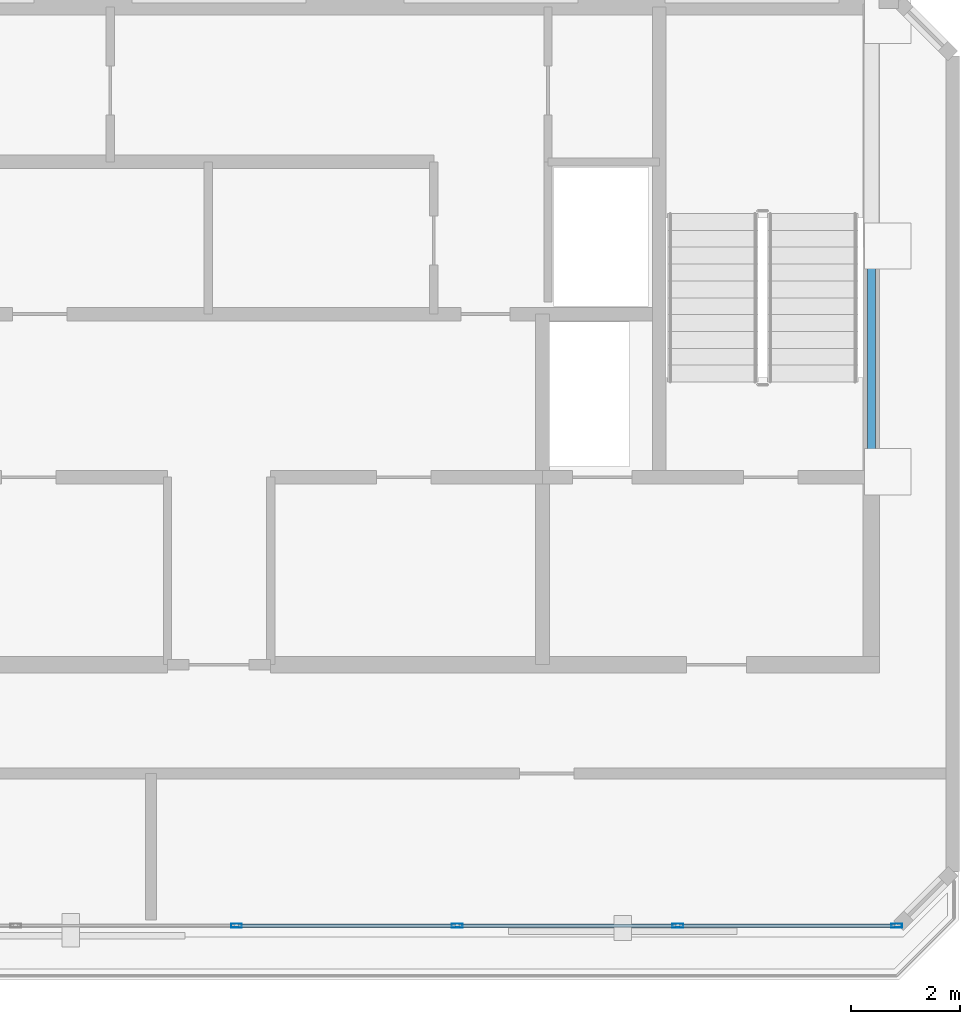
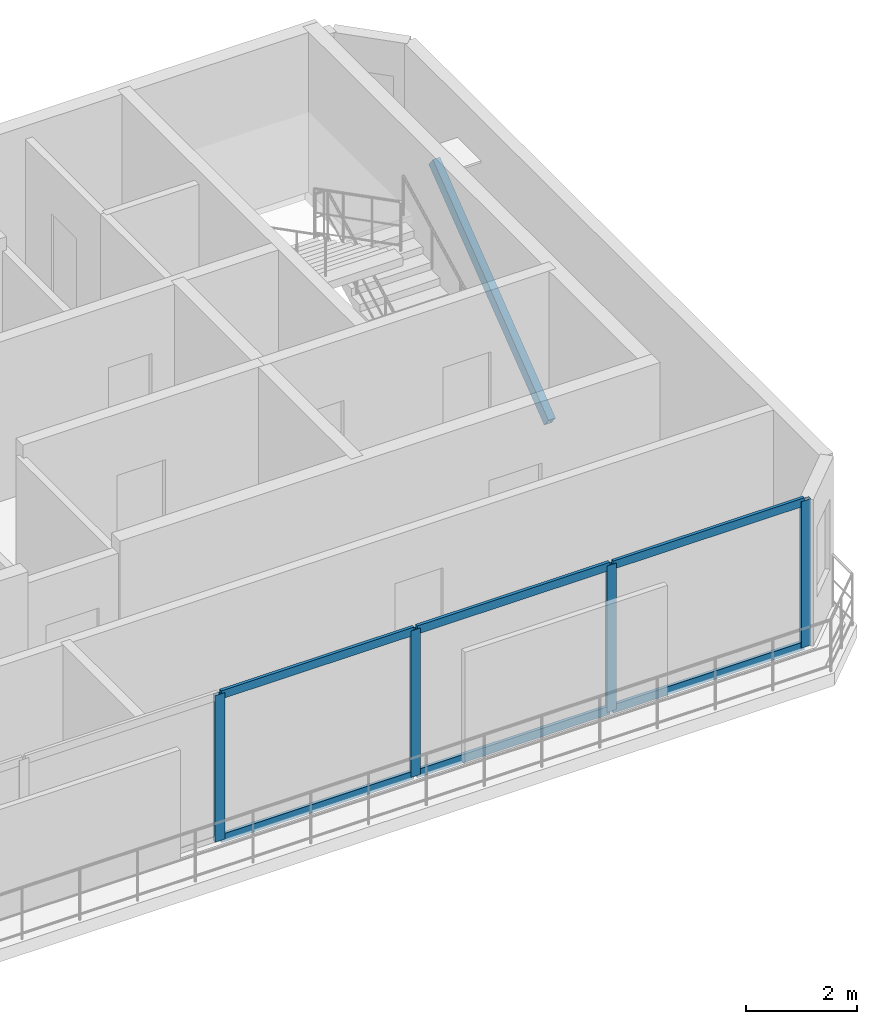
# One storey, part 3 of 6: 11 members, 1 element without a shape of its own.
"""IFC4 building model written with IfcOpenShell, lengths in metres."""

from ifc_helpers import new_model, si_unit, direction, frame, origin, origin_2d, place, context, subcontext, project, spatial, hollow_rectangle, extrude, material, layer, layer_set, material_profile, profile_set, type_object, element, aggregate, save


model = new_model("IFC4")

# Units and contexts
model_context = context("Model", 3, precision=1e-05, world=origin(), true_north=direction((0.0, 1.0)))
body_context = subcontext(model_context, "Body", "Model", "MODEL_VIEW")
ifc_project = project(units=[si_unit("LENGTHUNIT", "METRE"), si_unit("AREAUNIT", "SQUARE_METRE"), si_unit("VOLUMEUNIT", "CUBIC_METRE"), si_unit("PLANEANGLEUNIT", "RADIAN"), si_unit("MASSUNIT", "GRAM", prefix="KILO")], contexts=[model_context])

# Site, building, storey
site_placement = place(None, origin())
site = spatial("IfcSite", under=ifc_project, at=site_placement, CompositionType="ELEMENT")
building_placement = place(site_placement, origin())
building = spatial("IfcBuilding", under=site, at=building_placement, Name="Catumbela Crestline Tower", CompositionType="ELEMENT")
storey_placement = place(building_placement, frame((0.0, 0.0, 304.5)))
storey = spatial("IfcBuildingStorey", under=building, at=storey_placement, Name="L78", CompositionType="ELEMENT", Elevation=304.5)

# Member
ifc_material_1 = material(Name="Structural steel S355J2", Category="steel")
ifc_material_profile_1 = material_profile(ifc_material_1, hollow_rectangle(XDim=0.15, YDim=0.25, WallThickness=0.0125, at=origin_2d()), Name="RHS 250x150x12.5")
ifc_profile_set_1 = profile_set([ifc_material_profile_1], Name="Structural steel S355J2")
member_type_1 = type_object("IfcMemberType", Name="CS-250", PredefinedType="STRUT", material=ifc_profile_set_1)
member_1_placement = place(storey_placement, frame((40.0, 34.35, 0.01), z_axis=(0.0, 0.791914074685, 0.610632539516), x_axis=(-1.0, 0.0, 0.0)))
element("IfcMember", 1, at=member_1_placement, inside=storey, type_object=member_type_1, Name="L78 Crown Wind Frame Strut 3", PredefinedType="STRUT", context=body_context, shape_type="SweptSolid", body=[
    extrude(hollow_rectangle(XDim=0.15, YDim=0.25, WallThickness=0.0125, at=origin_2d()), origin(), (0.0, 0.0, 1.0), 5.2405),
])

# Curtain wall, members
ifc_material_2 = material(Name="Aluminium alloy AW-6060-T66", Category="aluminium")
ifc_layer = layer(ifc_material_2, 0.18, Name="Aluminium alloy AW-6060-T66")
ifc_layer_set = layer_set([ifc_layer], Name="Aluminium alloy AW-6060-T66")
curtain_wall_type = type_object("IfcCurtainWallType", Name="CWS-OBS", PredefinedType="USERDEFINED", material=ifc_layer_set)
curtain_wall_placement = place(storey_placement, origin())
curtain_wall = element("IfcCurtainWall", 2, at=curtain_wall_placement, inside=storey, type_object=curtain_wall_type, Name="L78 Stick Curtain Wall CW-L78-E0S2", ObjectType="STICK", PredefinedType="USERDEFINED")
ifc_material_profile_2 = material_profile(ifc_material_2, hollow_rectangle(XDim=0.075, YDim=0.2, WallThickness=0.005, at=origin_2d()), Name="ALU 200x75x5")
ifc_profile_set_2 = profile_set([ifc_material_profile_2], Name="Aluminium alloy AW-6060-T66")
member_type_2 = type_object("IfcMemberType", Name="MUL-200X75", PredefinedType="MULLION", material=ifc_profile_set_2)
member_2_placement = place(storey_placement, frame((28.32, 26.0, 0.0), z_axis=(0.0, 0.0, 1.0), x_axis=(0.0, 1.0, 0.0)))
member_2 = element("IfcMember", 3, at=member_2_placement, type_object=member_type_2, Name="CWS-OBS mullion 3", PredefinedType="MULLION", context=body_context, shape_type="SweptSolid", body=[
    extrude(hollow_rectangle(XDim=0.075, YDim=0.2, WallThickness=0.005, at=origin_2d()), origin(), (0.0, 0.0, 1.0), 3.21),
])
member_3_placement = place(storey_placement, frame((32.38, 26.0, 0.0), z_axis=(0.0, 0.0, 1.0), x_axis=(0.0, 1.0, 0.0)))
member_3 = element("IfcMember", 4, at=member_3_placement, type_object=member_type_2, Name="CWS-OBS mullion 4", PredefinedType="MULLION", context=body_context, shape_type="SweptSolid", body=[
    extrude(hollow_rectangle(XDim=0.075, YDim=0.2, WallThickness=0.005, at=origin_2d()), origin(), (0.0, 0.0, 1.0), 3.21),
])
member_4_placement = place(storey_placement, frame((36.44, 26.0, 0.0), z_axis=(0.0, 0.0, 1.0), x_axis=(0.0, 1.0, 0.0)))
member_4 = element("IfcMember", 5, at=member_4_placement, type_object=member_type_2, Name="CWS-OBS mullion 5", PredefinedType="MULLION", context=body_context, shape_type="SweptSolid", body=[
    extrude(hollow_rectangle(XDim=0.075, YDim=0.2, WallThickness=0.005, at=origin_2d()), origin(), (0.0, 0.0, 1.0), 3.21),
])
member_5_placement = place(storey_placement, frame((40.4675, 26.0, 0.0), z_axis=(0.0, 0.0, 1.0), x_axis=(0.0, 1.0, 0.0)))
member_5 = element("IfcMember", 6, at=member_5_placement, type_object=member_type_2, Name="CWS-OBS mullion 6", PredefinedType="MULLION", context=body_context, shape_type="SweptSolid", body=[
    extrude(hollow_rectangle(XDim=0.075, YDim=0.2, WallThickness=0.005, at=origin_2d()), origin(), (0.0, 0.0, 1.0), 3.21),
])
ifc_material_profile_3 = material_profile(ifc_material_2, hollow_rectangle(XDim=0.065, YDim=0.18, WallThickness=0.004, at=origin_2d()), Name="ALU 180x65x4")
ifc_profile_set_3 = profile_set([ifc_material_profile_3], Name="Aluminium alloy AW-6060-T66")
member_type_3 = type_object("IfcMemberType", Name="TRN-180X65", PredefinedType="USERDEFINED", material=ifc_profile_set_3)
member_6_placement = place(storey_placement, frame((28.3525, 26.0, 0.03), z_axis=(1.0, 0.0, 0.0), x_axis=(0.0, 1.0, 0.0)))
member_6 = element("IfcMember", 7, at=member_6_placement, type_object=member_type_3, Name="CWS-OBS transom 3.1", ObjectType="TRANSOM", PredefinedType="USERDEFINED", context=body_context, shape_type="SweptSolid", body=[
    extrude(hollow_rectangle(XDim=0.065, YDim=0.18, WallThickness=0.004, at=origin_2d()), origin(), (0.0, 0.0, 1.0), 3.995),
])
member_7_placement = place(storey_placement, frame((28.3525, 26.0, 3.18), z_axis=(1.0, 0.0, 0.0), x_axis=(0.0, 1.0, 0.0)))
member_7 = element("IfcMember", 8, at=member_7_placement, type_object=member_type_3, Name="CWS-OBS transom 3.2", ObjectType="TRANSOM", PredefinedType="USERDEFINED", context=body_context, shape_type="SweptSolid", body=[
    extrude(hollow_rectangle(XDim=0.065, YDim=0.18, WallThickness=0.004, at=origin_2d()), origin(), (0.0, 0.0, 1.0), 3.995),
])
member_8_placement = place(storey_placement, frame((32.4125, 26.0, 0.03), z_axis=(1.0, 0.0, 0.0), x_axis=(0.0, 1.0, 0.0)))
member_8 = element("IfcMember", 9, at=member_8_placement, type_object=member_type_3, Name="CWS-OBS transom 4.1", ObjectType="TRANSOM", PredefinedType="USERDEFINED", context=body_context, shape_type="SweptSolid", body=[
    extrude(hollow_rectangle(XDim=0.065, YDim=0.18, WallThickness=0.004, at=origin_2d()), origin(), (0.0, 0.0, 1.0), 3.995),
])
member_9_placement = place(storey_placement, frame((32.4125, 26.0, 3.18), z_axis=(1.0, 0.0, 0.0), x_axis=(0.0, 1.0, 0.0)))
member_9 = element("IfcMember", 10, at=member_9_placement, type_object=member_type_3, Name="CWS-OBS transom 4.2", ObjectType="TRANSOM", PredefinedType="USERDEFINED", context=body_context, shape_type="SweptSolid", body=[
    extrude(hollow_rectangle(XDim=0.065, YDim=0.18, WallThickness=0.004, at=origin_2d()), origin(), (0.0, 0.0, 1.0), 3.995),
])
member_10_placement = place(storey_placement, frame((36.4725, 26.0, 0.03), z_axis=(1.0, 0.0, 0.0), x_axis=(0.0, 1.0, 0.0)))
member_10 = element("IfcMember", 11, at=member_10_placement, type_object=member_type_3, Name="CWS-OBS transom 5.1", ObjectType="TRANSOM", PredefinedType="USERDEFINED", context=body_context, shape_type="SweptSolid", body=[
    extrude(hollow_rectangle(XDim=0.065, YDim=0.18, WallThickness=0.004, at=origin_2d()), origin(), (0.0, 0.0, 1.0), 3.9625),
])
member_11_placement = place(storey_placement, frame((36.4725, 26.0, 3.18), z_axis=(1.0, 0.0, 0.0), x_axis=(0.0, 1.0, 0.0)))
member_11 = element("IfcMember", 12, at=member_11_placement, type_object=member_type_3, Name="CWS-OBS transom 5.2", ObjectType="TRANSOM", PredefinedType="USERDEFINED", context=body_context, shape_type="SweptSolid", body=[
    extrude(hollow_rectangle(XDim=0.065, YDim=0.18, WallThickness=0.004, at=origin_2d()), origin(), (0.0, 0.0, 1.0), 3.9625),
])
aggregate(curtain_wall, [member_2, member_3, member_4, member_5, member_6, member_7, member_8, member_9, member_10, member_11])

save(model, "model.ifc")
